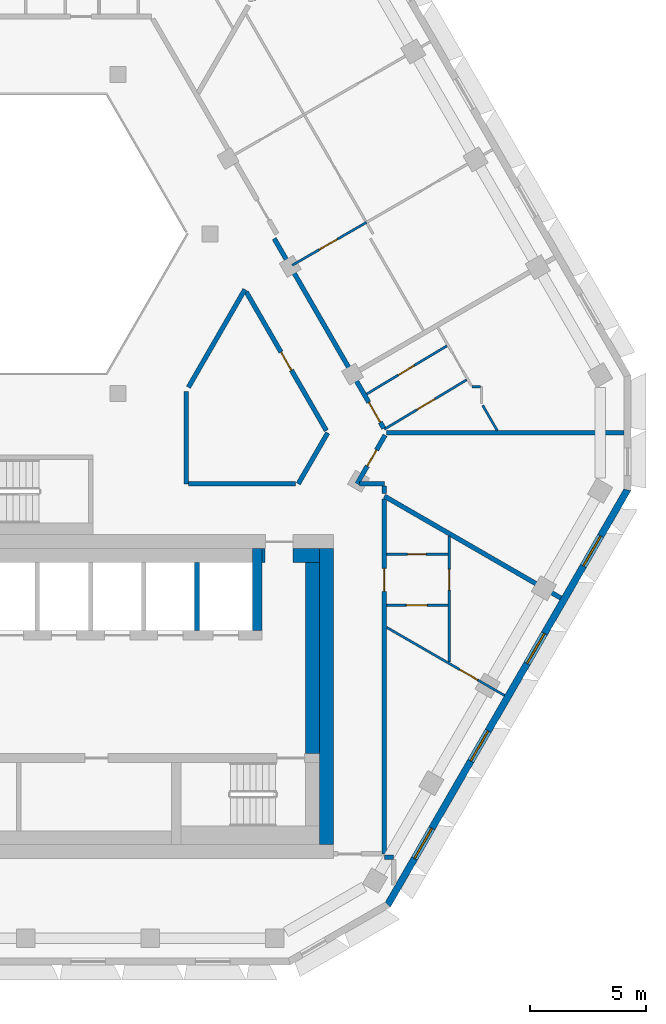
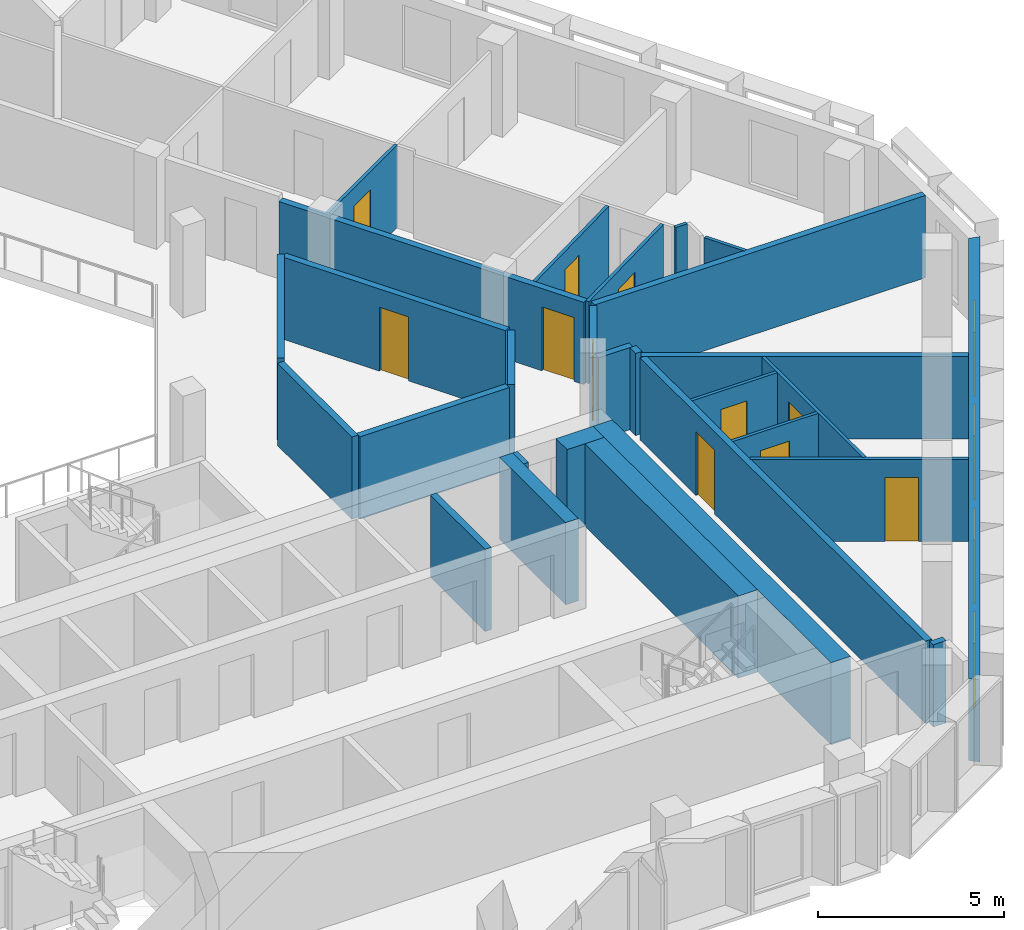
# One storey, part 5 of 14: 29 walls, 11 doors, 4 windows, 15 openings.
"""IFC4 building model written with IfcOpenShell, lengths in metres."""

import ifcopenshell
import ifcopenshell.guid

model = None  # the IFC model being written
_history = None  # IfcOwnerHistory: only IFC2X3 demands one
_inside = {}  # id of a spatial element -> (the spatial element, [elements in it])
_under = {}  # id of a project, library or spatial element -> (it, [spatial elements below it])
_declared = {}  # id of a project -> (the project, [libraries it declares])
_typed = {}  # id of a type object -> (the type object, [elements of that type])
_made_of = {}  # id of a material, layer set ... -> (it, [elements and type objects made of it])


def new_model(schema):
    """Start an empty IFC model of exactly this schema.

    Asked for "IFC4X3", IfcOpenShell would pick the latest addendum, in which some entities
    have other attributes; the version numbers below select the first issue.
    IFC2X3 requires an IfcOwnerHistory on every rooted entity: one is made here for all.
    """
    global model, _history
    if schema == "IFC4X3":
        model = ifcopenshell.file(schema_version=(4, 3, 0, 0))
    else:
        model = ifcopenshell.file(schema=schema)
    _inside.clear()
    _under.clear()
    _declared.clear()
    _typed.clear()
    _made_of.clear()
    _history = None
    if model.schema == "IFC2X3":
        org = make("IfcOrganization", Name="unknown")
        user = make(
            "IfcPersonAndOrganization",
            ThePerson=make("IfcPerson", FamilyName="unknown"),
            TheOrganization=org,
        )
        app = make(
            "IfcApplication",
            ApplicationDeveloper=org,
            Version="unknown",
            ApplicationFullName="unknown",
            ApplicationIdentifier="unknown",
        )
        _history = make(
            "IfcOwnerHistory",
            OwningUser=user,
            OwningApplication=app,
            ChangeAction="ADDED",
            CreationDate=0,
        )
    return model


def make(cls, **values):
    """One entity of the class cls with the attributes given. An attribute that is None is left unset."""
    return model.create_entity(
        cls, **{name: value for name, value in values.items() if value is not None}
    )


def rooted(cls, **values):
    """An entity with a GlobalId (a new one), such as an element, a storey or a relation."""
    return make(cls, GlobalId=ifcopenshell.guid.new(), OwnerHistory=_history, **values)


def si_unit(unit_type, name, prefix=None):
    """IfcSIUnit, for example si_unit("LENGTHUNIT", "METRE", prefix="MILLI")."""
    return make("IfcSIUnit", UnitType=unit_type, Prefix=prefix, Name=name)


def assignment(units):
    """IfcUnitAssignment: the units of a project."""
    return None if units is None else make("IfcUnitAssignment", Units=units)


def point(xyz):
    """IfcCartesianPoint."""
    return None if xyz is None else make("IfcCartesianPoint", Coordinates=xyz)


def direction(xyz):
    """IfcDirection."""
    return None if xyz is None else make("IfcDirection", DirectionRatios=xyz)


def frame(location, z_axis=None, x_axis=None):
    """IfcAxis2Placement3D, a coordinate frame: its origin and axes. An axis left out is left unset."""
    return make(
        "IfcAxis2Placement3D",
        Location=point(location),
        Axis=direction(z_axis),
        RefDirection=direction(x_axis),
    )


def frame_2d(location, x_axis=None):
    """IfcAxis2Placement2D, a coordinate frame in the plane: its origin and x axis."""
    return make(
        "IfcAxis2Placement2D", Location=point(location), RefDirection=direction(x_axis)
    )


def origin():
    """The frame at (0, 0, 0) with its axes left unset."""
    return frame((0.0, 0.0, 0.0))


def place(relative_to, where):
    """IfcLocalPlacement: puts the frame where relative to a parent placement (None: the world)."""
    return make(
        "IfcLocalPlacement", PlacementRelTo=relative_to, RelativePlacement=where
    )


def context(
    kind, dimensions, precision=None, world=None, true_north=None, identifier=None
):
    """IfcGeometricRepresentationContext, for example the 3D "Model" context."""
    return make(
        "IfcGeometricRepresentationContext",
        ContextIdentifier=identifier,
        ContextType=kind,
        CoordinateSpaceDimension=dimensions,
        Precision=precision,
        WorldCoordinateSystem=world,
        TrueNorth=true_north,
    )


def subcontext(parent, identifier, kind, view, scale=None):
    """IfcGeometricRepresentationSubContext, for example "Body" below "Model"."""
    return make(
        "IfcGeometricRepresentationSubContext",
        ContextIdentifier=identifier,
        ContextType=kind,
        ParentContext=parent,
        TargetScale=scale,
        TargetView=view,
    )


def project(units=None, contexts=None):
    """IfcProject with its units and contexts."""
    return rooted(
        "IfcProject",
        Name="project",
        RepresentationContexts=contexts,
        UnitsInContext=assignment(units),
    )


def spatial(cls, under=None, at=None, **own):
    """A site, building, storey or space (cls), placed at a placement, below another one or the project."""
    s = rooted(cls, ObjectPlacement=at, **own)
    if under is not None:
        _under.setdefault(under.id(), (under, []))[1].append(s)
    return s


def polyline(points):
    """IfcPolyline through the points."""
    return make("IfcPolyline", Points=[point(p) for p in points])


def profile(cls, at=None, kind="AREA", **sizes):
    """A parametric profile (cls). Its sizes go by their IFC names, for example OverallWidth=200.0."""
    return make(cls, ProfileType=kind, Position=at, **sizes)


def rectangle(**sizes):
    """IfcRectangleProfileDef."""
    return profile("IfcRectangleProfileDef", **sizes)


def outline(outer, holes=None, kind="AREA"):
    """IfcArbitraryClosedProfileDef: a profile drawn as a closed curve; with holes, ...WithVoids."""
    if holes is None:
        return make("IfcArbitraryClosedProfileDef", ProfileType=kind, OuterCurve=outer)
    return make(
        "IfcArbitraryProfileDefWithVoids",
        ProfileType=kind,
        OuterCurve=outer,
        InnerCurves=holes,
    )


def extrude(swept, where, along, depth):
    """IfcExtrudedAreaSolid: the profile swept, set in the frame where, extruded along a direction by depth."""
    return make(
        "IfcExtrudedAreaSolid",
        SweptArea=swept,
        Position=where,
        ExtrudedDirection=direction(along),
        Depth=depth,
    )


def shape(context_of_items, identifier, shape_type, items):
    """IfcShapeRepresentation: the items that make up one representation, for example the "Body"."""
    return make(
        "IfcShapeRepresentation",
        ContextOfItems=context_of_items,
        RepresentationIdentifier=identifier,
        RepresentationType=shape_type,
        Items=items,
    )


def material(Name=None, Category=None):
    """IfcMaterial."""
    return make("IfcMaterial", Name=Name, Category=Category)


def layer(
    of_material, thickness, ventilated=None, Name=None, Category=None, Priority=None
):
    """IfcMaterialLayer: one layer of a wall or slab, of a material (None: an air gap)."""
    return make(
        "IfcMaterialLayer",
        Material=of_material,
        LayerThickness=thickness,
        IsVentilated=ventilated,
        Name=Name,
        Category=Category,
        Priority=Priority,
    )


def layer_set(layers, Name=None):
    """IfcMaterialLayerSet."""
    return make("IfcMaterialLayerSet", MaterialLayers=layers, LayerSetName=Name)


def made_of(thing, what):
    """Note that an element or type object is made of a material, layer set ...; save() writes the relation."""
    if what is not None:
        _made_of.setdefault(what.id(), (what, []))[1].append(thing)
    return thing


def type_object(cls, material=None, **own):
    """A type object (cls), such as IfcWallType, which elements share."""
    return made_of(rooted(cls, **own), material)


def element(
    cls,
    number,
    at=None,
    inside=None,
    cuts=None,
    type_object=None,
    material=None,
    context=None,
    identifier="Body",
    shape_type=None,
    held_by="IfcProductDefinitionShape",
    body=None,
    shapes=None,
    **own,
):
    """One element of the class cls, such as IfcWall. Its Tag is "e" and its number.

    at: its placement. inside: the storey or other place that contains it. cuts: it is an
    opening in that element (IfcRelVoidsElement). A single representation is given by context,
    identifier, shape_type and body (its items); several are given by shapes. held_by: the class
    of the entity that holds the representations. save() writes the other relations.
    """
    e = rooted(cls, Tag="e%d" % number, ObjectPlacement=at, **own)
    if body is not None:
        shapes = [shape(context, identifier, shape_type, body)]
    if shapes is not None:
        e.Representation = make(held_by, Representations=shapes)
    if inside is not None:
        _inside.setdefault(inside.id(), (inside, []))[1].append(e)
    if cuts is not None:
        rooted(
            "IfcRelVoidsElement", RelatingBuildingElement=cuts, RelatedOpeningElement=e
        )
    if type_object is not None:
        _typed.setdefault(type_object.id(), (type_object, []))[1].append(e)
    return made_of(e, material)


def fill(opening, filler):
    """IfcRelFillsElement: the door or window that sits in an opening."""
    return rooted(
        "IfcRelFillsElement",
        RelatingOpeningElement=opening,
        RelatedBuildingElement=filler,
    )


def aggregate(whole, parts):
    """IfcRelAggregates: a whole, such as a stair, and the parts it consists of."""
    return rooted("IfcRelAggregates", RelatingObject=whole, RelatedObjects=parts)


def save(model, path):
    """Write the relations noted so far, then the file.

    IfcRelAggregates (storeys below a building ...), IfcRelContainedInSpatialStructure (elements
    in a storey), IfcRelDefinesByType, IfcRelAssociatesMaterial and IfcRelDeclares: one each for
    every whole, place, type object, material and project.
    """
    for whole, parts in _under.values():
        aggregate(whole, parts)
    for where, things in _inside.values():
        rooted(
            "IfcRelContainedInSpatialStructure",
            RelatedElements=things,
            RelatingStructure=where,
        )
    for kind, things in _typed.values():
        rooted("IfcRelDefinesByType", RelatedObjects=things, RelatingType=kind)
    for what, things in _made_of.values():
        rooted("IfcRelAssociatesMaterial", RelatedObjects=things, RelatingMaterial=what)
    for by, libraries in _declared.values():
        rooted("IfcRelDeclares", RelatingContext=by, RelatedDefinitions=libraries)
    model.write(path)


model = new_model("IFC4")

# Units and contexts
model_context = context("Model", 3, precision=1e-05, world=origin(), true_north=direction((0.0, 1.0)))
body_context = subcontext(model_context, "Body", "Model", "MODEL_VIEW")
ifc_project = project(units=[si_unit("LENGTHUNIT", "METRE"), si_unit("AREAUNIT", "SQUARE_METRE"), si_unit("VOLUMEUNIT", "CUBIC_METRE"), si_unit("PLANEANGLEUNIT", "RADIAN"), si_unit("MASSUNIT", "GRAM", prefix="KILO")], contexts=[model_context])

# Site, building, storey
site_placement = place(None, origin())
site = spatial("IfcSite", under=ifc_project, at=site_placement, CompositionType="ELEMENT")
building_placement = place(site_placement, origin())
building = spatial("IfcBuilding", under=site, at=building_placement, Name="Beryl Residences", CompositionType="ELEMENT")
storey_placement = place(building_placement, frame((0.0, 0.0, 181.199951171875)))
storey = spatial("IfcBuildingStorey", under=building, at=storey_placement, Name="L55", CompositionType="ELEMENT", Elevation=181.199951171875)

# Wall, openings, windows
ifc_material_1 = material(Name="Composite metal panel with mineral wool insulation")
ifc_layer_1 = layer(ifc_material_1, 0.300048828125)
ifc_layer_set_1 = layer_set([ifc_layer_1], Name="ES1 pale metal composite panel wall 300 mm")
wall_type_1 = type_object("IfcWallType", Name="ES1 pale metal composite panel wall 300 mm", PredefinedType="SOLIDWALL", material=ifc_layer_set_1)
wall_1_placement = place(storey_placement, frame((15.631103515625, -21.02490234375, 0.0), z_axis=(0.0, 0.0, 1.0), x_axis=(0.500018670445, 0.86601462413, 0.0)))
wall_1 = element("IfcWall", 1, at=wall_1_placement, inside=storey, type_object=wall_type_1, Name="ES1 external wall L55 SE", PredefinedType="SOLIDWALL", context=body_context, shape_type="SweptSolid", body=[
    extrude(outline(polyline([(0.0, -0.14990234375), (20.784912109375, -0.14990234375), (20.70458984375, 0.14990234375), (0.080322265625, 0.14990234375), (0.0, -0.14990234375)])), origin(), (0.0, 0.0, 1.0), 2.699951171875),
])
opening_1_placement = place(wall_1_placement, frame((2.345947265625, 0.0, 0.14990234375)))
opening_1 = element("IfcOpeningElement", 2, at=opening_1_placement, cuts=wall_1, Name="Opening W1", PredefinedType="OPENING", context=body_context, shape_type="SweptSolid", body=[
    extrude(rectangle(XDim=1.5, YDim=2.10009765625, at=frame_2d((0.75, 1.050048828125))), frame((0.0, 0.159912109375, 0.0), z_axis=(0.0, -1.0, 0.0), x_axis=(1.0, 0.0, 0.0)), (0.0, 0.0, 1.0), 0.320068359375),
])
opening_2_placement = place(wall_1_placement, frame((7.2099609375, 0.0, 0.14990234375)))
opening_2 = element("IfcOpeningElement", 3, at=opening_2_placement, cuts=wall_1, Name="Opening W1", PredefinedType="OPENING", context=body_context, shape_type="SweptSolid", body=[
    extrude(rectangle(XDim=1.5, YDim=2.10009765625, at=frame_2d((0.75, 1.050048828125))), frame((0.0, 0.159912109375, 0.0), z_axis=(0.0, -1.0, 0.0), x_axis=(1.0, 0.0, 0.0)), (0.0, 0.0, 1.0), 0.320068359375),
])
opening_3_placement = place(wall_1_placement, frame((12.072998046875, 0.0, 0.14990234375)))
opening_3 = element("IfcOpeningElement", 4, at=opening_3_placement, cuts=wall_1, Name="Opening W1", PredefinedType="OPENING", context=body_context, shape_type="SweptSolid", body=[
    extrude(rectangle(XDim=1.5, YDim=2.10009765625, at=frame_2d((0.75, 1.050048828125))), frame((0.0, 0.159912109375, 0.0), z_axis=(0.0, -1.0, 0.0), x_axis=(1.0, 0.0, 0.0)), (0.0, 0.0, 1.0), 0.320068359375),
])
opening_4_placement = place(wall_1_placement, frame((16.93798828125, 0.0, 0.14990234375)))
opening_4 = element("IfcOpeningElement", 5, at=opening_4_placement, cuts=wall_1, Name="Opening W1", PredefinedType="OPENING", context=body_context, shape_type="SweptSolid", body=[
    extrude(rectangle(XDim=1.5, YDim=2.10009765625, at=frame_2d((0.75, 1.050048828125))), frame((0.0, 0.159912109375, 0.0), z_axis=(0.0, -1.0, 0.0), x_axis=(1.0, 0.0, 0.0)), (0.0, 0.0, 1.0), 0.320068359375),
])
ifc_material_2 = material(Name="Aluminium and clear glass", Category="aluminium")
window_type = type_object("IfcWindowType", Name="W1 cell window 1500 x 2100 mm", PartitioningType="SINGLE_PANEL", PredefinedType="WINDOW", material=ifc_material_2)
window_1_placement = place(opening_1_placement, origin())
window_1 = element("IfcWindow", 6, at=window_1_placement, inside=storey, type_object=window_type, Name="W1 window L55 SE 2", OverallHeight=2.10009765625, OverallWidth=1.5, PartitioningType="SINGLE_PANEL", PredefinedType="WINDOW", context=body_context, shape_type="SweptSolid", body=[
    extrude(rectangle(XDim=1.5, YDim=2.10009765625, at=frame_2d((0.75, 1.050048828125))), frame((0.0, 0.030029296875, 0.0), z_axis=(0.0, -1.0, 0.0), x_axis=(1.0, 0.0, 0.0)), (0.0, 0.0, 1.0), 0.06005859375),
])
fill(opening_1, window_1)
window_2_placement = place(opening_2_placement, origin())
window_2 = element("IfcWindow", 7, at=window_2_placement, inside=storey, type_object=window_type, Name="W1 window L55 SE 4", OverallHeight=2.10009765625, OverallWidth=1.5, PartitioningType="SINGLE_PANEL", PredefinedType="WINDOW", context=body_context, shape_type="SweptSolid", body=[
    extrude(rectangle(XDim=1.5, YDim=2.10009765625, at=frame_2d((0.75, 1.050048828125))), frame((0.0, 0.030029296875, 0.0), z_axis=(0.0, -1.0, 0.0), x_axis=(1.0, 0.0, 0.0)), (0.0, 0.0, 1.0), 0.06005859375),
])
fill(opening_2, window_2)
window_3_placement = place(opening_3_placement, origin())
window_3 = element("IfcWindow", 8, at=window_3_placement, inside=storey, type_object=window_type, Name="W1 window L55 SE 6", OverallHeight=2.10009765625, OverallWidth=1.5, PartitioningType="SINGLE_PANEL", PredefinedType="WINDOW", context=body_context, shape_type="SweptSolid", body=[
    extrude(rectangle(XDim=1.5, YDim=2.10009765625, at=frame_2d((0.75, 1.050048828125))), frame((0.0, 0.030029296875, 0.0), z_axis=(0.0, -1.0, 0.0), x_axis=(1.0, 0.0, 0.0)), (0.0, 0.0, 1.0), 0.06005859375),
])
fill(opening_3, window_3)
window_4_placement = place(opening_4_placement, origin())
window_4 = element("IfcWindow", 9, at=window_4_placement, inside=storey, type_object=window_type, Name="W1 window L55 SE 8", OverallHeight=2.10009765625, OverallWidth=1.5, PartitioningType="SINGLE_PANEL", PredefinedType="WINDOW", context=body_context, shape_type="SweptSolid", body=[
    extrude(rectangle(XDim=1.5, YDim=2.10009765625, at=frame_2d((0.75, 1.050048828125))), frame((0.0, 0.030029296875, 0.0), z_axis=(0.0, -1.0, 0.0), x_axis=(1.0, 0.0, 0.0)), (0.0, 0.0, 1.0), 0.06005859375),
])
fill(opening_4, window_4)

# Wall
ifc_material_3 = material(Name="Gypsum board partition on steel studs", Category="steel")
ifc_layer_2 = layer(ifc_material_3, 0.10009765625)
ifc_layer_set_2 = layer_set([ifc_layer_2], Name="PT1 partition 100 mm gypsum board on steel studs")
wall_type_2 = type_object("IfcWallType", Name="PT1 partition 100 mm gypsum board on steel studs", PredefinedType="PARTITIONING", material=ifc_layer_set_2)
wall_2_placement = place(storey_placement, frame((19.75, 0.592041015625, 0.0), z_axis=(0.0, 0.0, 1.0), x_axis=(0.499974077718, -0.866040369504, 0.0)))
element("IfcWall", 10, at=wall_2_placement, inside=storey, type_object=wall_type_2, Name="Wall PT1 L55 005", PredefinedType="PARTITIONING", context=body_context, shape_type="SweptSolid", body=[
    extrude(rectangle(XDim=1.259765625, YDim=0.10009765625, at=frame_2d((0.6298828125, 0.0))), origin(), (0.0, 0.0, 1.0), 2.699951171875),
])

# Wall, opening, door
wall_3_placement = place(storey_placement, frame((15.60009765625, -9.008056640625, 0.0), z_axis=(0.0, 0.0, 1.0), x_axis=(0.866013576751, -0.500020484464, 0.0)))
wall_3 = element("IfcWall", 11, at=wall_3_placement, inside=storey, type_object=wall_type_2, Name="Wall PT1 L55 014", PredefinedType="PARTITIONING", context=body_context, shape_type="SweptSolid", body=[
    extrude(rectangle(XDim=5.885498046875, YDim=0.10009765625, at=frame_2d((2.94287109375, 0.0))), origin(), (0.0, 0.0, 1.0), 2.699951171875),
])
opening_5_placement = place(wall_3_placement, frame((3.639892578125, 0.0, 0.0)))
opening_5 = element("IfcOpeningElement", 12, at=opening_5_placement, cuts=wall_3, Name="Opening D1736", PredefinedType="OPENING", context=body_context, shape_type="SweptSolid", body=[
    extrude(rectangle(XDim=0.89990234375, YDim=2.10009765625, at=frame_2d((0.449951171875, 1.050048828125))), frame((0.0, 0.06005859375, 0.0), z_axis=(0.0, -1.0, 0.0), x_axis=(1.0, 0.0, 0.0)), (0.0, 0.0, 1.0), 0.1201171875),
])
ifc_material_4 = material(Name="Timber door leaf", Category="wood")
door_type_1 = type_object("IfcDoorType", Name="D2 room door 900 x 2100 mm", OperationType="SINGLE_SWING_LEFT", PredefinedType="DOOR", material=ifc_material_4)
door_1_placement = place(opening_5_placement, origin())
door_1 = element("IfcDoor", 13, at=door_1_placement, inside=storey, type_object=door_type_1, Name="Door D1736 L55 001", OperationType="SINGLE_SWING_RIGHT", OverallHeight=2.10009765625, OverallWidth=0.89990234375, PredefinedType="DOOR", context=body_context, shape_type="SweptSolid", body=[
    extrude(rectangle(XDim=0.89990234375, YDim=2.10009765625, at=frame_2d((0.449951171875, 1.050048828125))), frame((0.0, 0.02490234375, 0.0), z_axis=(0.0, -1.0, 0.0), x_axis=(1.0, 0.0, 0.0)), (0.0, 0.0, 1.0), 0.050048828125),
])
fill(opening_5, door_1)

wall_4_placement = place(storey_placement, frame((15.60009765625, -5.85107421875, 0.0), z_axis=(0.0, 0.0, 1.0), x_axis=(1.0, 0.0, 0.0)))
wall_4 = element("IfcWall", 14, at=wall_4_placement, inside=storey, type_object=wall_type_2, Name="Wall PT1 L55 017", PredefinedType="PARTITIONING", context=body_context, shape_type="SweptSolid", body=[
    extrude(rectangle(XDim=2.64990234375, YDim=0.10009765625, at=frame_2d((1.324951171875, 0.0))), origin(), (0.0, 0.0, 1.0), 2.699951171875),
])
opening_6_placement = place(wall_4_placement, frame((0.89990234375, 0.0, 0.0)))
opening_6 = element("IfcOpeningElement", 15, at=opening_6_placement, cuts=wall_4, Name="Opening D1733", PredefinedType="OPENING", context=body_context, shape_type="SweptSolid", body=[
    extrude(rectangle(XDim=0.800048828125, YDim=2.10009765625, at=frame_2d((0.39990234375, 1.050048828125))), frame((0.0, 0.06005859375, 0.0), z_axis=(0.0, -1.0, 0.0), x_axis=(1.0, 0.0, 0.0)), (0.0, 0.0, 1.0), 0.1201171875),
])
ifc_material_5 = material(Name="Timber door leaf", Category="wood")
door_type_2 = type_object("IfcDoorType", Name="D3 bathroom door 800 x 2100 mm", OperationType="SINGLE_SWING_LEFT", PredefinedType="DOOR", material=ifc_material_5)
door_2_placement = place(opening_6_placement, origin())
door_2 = element("IfcDoor", 16, at=door_2_placement, inside=storey, type_object=door_type_2, Name="Door D1733 L55 001", OperationType="SINGLE_SWING_LEFT", OverallHeight=2.10009765625, OverallWidth=0.800048828125, PredefinedType="DOOR", context=body_context, shape_type="SweptSolid", body=[
    extrude(rectangle(XDim=0.800048828125, YDim=2.10009765625, at=frame_2d((0.39990234375, 1.050048828125))), frame((0.0, 0.02490234375, 0.0), z_axis=(0.0, -1.0, 0.0), x_axis=(1.0, 0.0, 0.0)), (0.0, 0.0, 1.0), 0.050048828125),
])
fill(opening_6, door_2)

wall_5_placement = place(storey_placement, frame((15.60009765625, -8.051025390625, 0.0), z_axis=(0.0, 0.0, 1.0), x_axis=(1.0, 0.0, 0.0)))
wall_5 = element("IfcWall", 17, at=wall_5_placement, inside=storey, type_object=wall_type_2, Name="Wall PT1 L55 018", PredefinedType="PARTITIONING", context=body_context, shape_type="SweptSolid", body=[
    extrude(rectangle(XDim=2.64990234375, YDim=0.10009765625, at=frame_2d((1.324951171875, 0.0))), origin(), (0.0, 0.0, 1.0), 2.699951171875),
])
opening_7_placement = place(wall_5_placement, frame((0.85009765625, 0.0, 0.0)))
opening_7 = element("IfcOpeningElement", 18, at=opening_7_placement, cuts=wall_5, Name="Opening D1734", PredefinedType="OPENING", context=body_context, shape_type="SweptSolid", body=[
    extrude(rectangle(XDim=0.89990234375, YDim=2.10009765625, at=frame_2d((0.449951171875, 1.050048828125))), frame((0.0, 0.06005859375, 0.0), z_axis=(0.0, -1.0, 0.0), x_axis=(1.0, 0.0, 0.0)), (0.0, 0.0, 1.0), 0.1201171875),
])
door_3_placement = place(opening_7_placement, origin())
door_3 = element("IfcDoor", 19, at=door_3_placement, inside=storey, type_object=door_type_1, Name="Door D1734 L55 001", OperationType="SINGLE_SWING_RIGHT", OverallHeight=2.10009765625, OverallWidth=0.89990234375, PredefinedType="DOOR", context=body_context, shape_type="SweptSolid", body=[
    extrude(rectangle(XDim=0.89990234375, YDim=2.10009765625, at=frame_2d((0.449951171875, 1.050048828125))), frame((0.0, 0.02490234375, 0.0), z_axis=(0.0, -1.0, 0.0), x_axis=(1.0, 0.0, 0.0)), (0.0, 0.0, 1.0), 0.050048828125),
])
fill(opening_7, door_3)

# Wall
wall_6_placement = place(storey_placement, frame((19.283935546875, 1.39990234375, 0.0), z_axis=(0.0, 0.0, 1.0), x_axis=(1.0, 0.0, 0.0)))
element("IfcWall", 20, at=wall_6_placement, inside=storey, type_object=wall_type_2, Name="Wall PT1 L55 020", PredefinedType="PARTITIONING", context=body_context, shape_type="SweptSolid", body=[
    extrude(rectangle(XDim=0.365966796875, YDim=0.10009765625, at=frame_2d((0.18310546875, 0.0))), origin(), (0.0, 0.0, 1.0), 2.699951171875),
])

# Wall, opening, door
wall_7_placement = place(storey_placement, frame((18.300048828125, -10.509033203125, 0.0), z_axis=(0.0, 0.0, 1.0), x_axis=(0.0, 1.0, 0.0)))
wall_7 = element("IfcWall", 21, at=wall_7_placement, inside=storey, type_object=wall_type_2, Name="Wall PT1 L55 032", PredefinedType="PARTITIONING", context=body_context, shape_type="SweptSolid", body=[
    extrude(rectangle(XDim=5.443115234375, YDim=0.10009765625, at=frame_2d((2.7216796875, 0.0))), origin(), (0.0, 0.0, 1.0), 2.699951171875),
])
opening_8_placement = place(wall_7_placement, frame((3.10888671875, 0.0, 0.0)))
opening_8 = element("IfcOpeningElement", 22, at=opening_8_placement, cuts=wall_7, Name="Opening D1735", PredefinedType="OPENING", context=body_context, shape_type="SweptSolid", body=[
    extrude(rectangle(XDim=0.89990234375, YDim=2.10009765625, at=frame_2d((0.449951171875, 1.050048828125))), frame((0.0, 0.06005859375, 0.0), z_axis=(0.0, -1.0, 0.0), x_axis=(1.0, 0.0, 0.0)), (0.0, 0.0, 1.0), 0.1201171875),
])
door_4_placement = place(opening_8_placement, origin())
door_4 = element("IfcDoor", 23, at=door_4_placement, inside=storey, type_object=door_type_1, Name="Door D1735 L55 001", OperationType="SINGLE_SWING_LEFT", OverallHeight=2.10009765625, OverallWidth=0.89990234375, PredefinedType="DOOR", context=body_context, shape_type="SweptSolid", body=[
    extrude(rectangle(XDim=0.89990234375, YDim=2.10009765625, at=frame_2d((0.449951171875, 1.050048828125))), frame((0.0, 0.02490234375, 0.0), z_axis=(0.0, -1.0, 0.0), x_axis=(1.0, 0.0, 0.0)), (0.0, 0.0, 1.0), 0.050048828125),
])
fill(opening_8, door_4)

wall_8_placement = place(storey_placement, frame((11.51806640625, 6.64990234375, 0.0), z_axis=(0.0, 0.0, 1.0), x_axis=(0.865984470368, 0.500070892056, 0.0)))
wall_8 = element("IfcWall", 24, at=wall_8_placement, inside=storey, type_object=wall_type_2, Name="Wall PT1 L55 037", PredefinedType="PARTITIONING", context=body_context, shape_type="SweptSolid", body=[
    extrude(rectangle(XDim=3.69970703125, YDim=0.10009765625, at=frame_2d((1.849853515625, 0.0))), origin(), (0.0, 0.0, 1.0), 2.699951171875),
])
opening_9_placement = place(wall_8_placement, frame((1.35009765625, 0.0, 0.0)))
opening_9 = element("IfcOpeningElement", 25, at=opening_9_placement, cuts=wall_8, Name="Opening D1703", PredefinedType="OPENING", context=body_context, shape_type="SweptSolid", body=[
    extrude(rectangle(XDim=0.89990234375, YDim=2.10009765625, at=frame_2d((0.449951171875, 1.050048828125))), frame((0.0, 0.06005859375, 0.0), z_axis=(0.0, -1.0, 0.0), x_axis=(1.0, 0.0, 0.0)), (0.0, 0.0, 1.0), 0.1201171875),
])
door_5_placement = place(opening_9_placement, origin())
door_5 = element("IfcDoor", 26, at=door_5_placement, inside=storey, type_object=door_type_1, Name="Door D1703 L55 001", OperationType="SINGLE_SWING_LEFT", OverallHeight=2.10009765625, OverallWidth=0.89990234375, PredefinedType="DOOR", context=body_context, shape_type="SweptSolid", body=[
    extrude(rectangle(XDim=0.89990234375, YDim=2.10009765625, at=frame_2d((0.449951171875, 1.050048828125))), frame((0.0, 0.02490234375, 0.0), z_axis=(0.0, -1.0, 0.0), x_axis=(1.0, 0.0, 0.0)), (0.0, 0.0, 1.0), 0.050048828125),
])
fill(opening_9, door_5)

wall_9_placement = place(storey_placement, frame((14.73388671875, 1.080078125, 0.0), z_axis=(0.0, 0.0, 1.0), x_axis=(0.857205608004, 0.514974315482, 0.0)))
wall_9 = element("IfcWall", 27, at=wall_9_placement, inside=storey, type_object=wall_type_2, Name="Wall PT1 L55 040", PredefinedType="PARTITIONING", context=body_context, shape_type="SweptSolid", body=[
    extrude(rectangle(XDim=4.050537109375, YDim=0.10009765625, at=frame_2d((2.025390625, 0.0))), origin(), (0.0, 0.0, 1.0), 2.699951171875),
])
opening_10_placement = place(wall_9_placement, frame((1.60009765625, 0.0, 0.0)))
opening_10 = element("IfcOpeningElement", 28, at=opening_10_placement, cuts=wall_9, Name="Opening D1739", PredefinedType="OPENING", context=body_context, shape_type="SweptSolid", body=[
    extrude(rectangle(XDim=0.800048828125, YDim=2.10009765625, at=frame_2d((0.39990234375, 1.050048828125))), frame((0.0, 0.06005859375, 0.0), z_axis=(0.0, -1.0, 0.0), x_axis=(1.0, 0.0, 0.0)), (0.0, 0.0, 1.0), 0.1201171875),
])
door_6_placement = place(opening_10_placement, origin())
door_6 = element("IfcDoor", 29, at=door_6_placement, inside=storey, type_object=door_type_2, Name="Door D1739 L55 001", OperationType="SINGLE_SWING_LEFT", OverallHeight=2.10009765625, OverallWidth=0.800048828125, PredefinedType="DOOR", context=body_context, shape_type="SweptSolid", body=[
    extrude(rectangle(XDim=0.800048828125, YDim=2.10009765625, at=frame_2d((0.39990234375, 1.050048828125))), frame((0.0, 0.02490234375, 0.0), z_axis=(0.0, -1.0, 0.0), x_axis=(1.0, 0.0, 0.0)), (0.0, 0.0, 1.0), 0.050048828125),
])
fill(opening_10, door_6)

wall_10_placement = place(storey_placement, frame((15.4990234375, -0.444091796875, 0.0), z_axis=(0.0, 0.0, 1.0), x_axis=(0.857061798163, 0.515213619899, 0.0)))
wall_10 = element("IfcWall", 30, at=wall_10_placement, inside=storey, type_object=wall_type_2, Name="Wall PT1 L55 041", PredefinedType="PARTITIONING", context=body_context, shape_type="SweptSolid", body=[
    extrude(rectangle(XDim=4.150146484375, YDim=0.10009765625, at=frame_2d((2.0751953125, 0.0))), origin(), (0.0, 0.0, 1.0), 2.699951171875),
])
opening_11_placement = place(wall_10_placement, frame((1.64990234375, 0.0, 0.0)))
opening_11 = element("IfcOpeningElement", 31, at=opening_11_placement, cuts=wall_10, Name="Opening D1740", PredefinedType="OPENING", context=body_context, shape_type="SweptSolid", body=[
    extrude(rectangle(XDim=0.89990234375, YDim=2.10009765625, at=frame_2d((0.449951171875, 1.050048828125))), frame((0.0, 0.06005859375, 0.0), z_axis=(0.0, -1.0, 0.0), x_axis=(1.0, 0.0, 0.0)), (0.0, 0.0, 1.0), 0.1201171875),
])
door_7_placement = place(opening_11_placement, origin())
door_7 = element("IfcDoor", 32, at=door_7_placement, inside=storey, type_object=door_type_1, Name="Door D1740 L55 001", OperationType="SINGLE_SWING_RIGHT", OverallHeight=2.10009765625, OverallWidth=0.89990234375, PredefinedType="DOOR", context=body_context, shape_type="SweptSolid", body=[
    extrude(rectangle(XDim=0.89990234375, YDim=2.10009765625, at=frame_2d((0.449951171875, 1.050048828125))), frame((0.0, 0.02490234375, 0.0), z_axis=(0.0, -1.0, 0.0), x_axis=(1.0, 0.0, 0.0)), (0.0, 0.0, 1.0), 0.050048828125),
])
fill(opening_11, door_7)

# Walls
ifc_material_6 = material(Name="Concrete masonry", Category="masonry")
ifc_layer_3 = layer(ifc_material_6, 0.14990234375)
ifc_layer_set_3 = layer_set([ifc_layer_3], Name="PT13-150 lobby wall 150 mm")
wall_type_3 = type_object("IfcWallType", Name="PT13-150 lobby wall 150 mm", PredefinedType="PARTITIONING", material=ifc_layer_set_3)
wall_11_placement = place(storey_placement, frame((10.27490234375, -6.199951171875, 0.0), z_axis=(0.0, 0.0, 1.0), x_axis=(0.0, 1.0, 0.0)))
element("IfcWall", 33, at=wall_11_placement, inside=storey, type_object=wall_type_3, Name="Lobby wall 23", PredefinedType="PARTITIONING", context=body_context, shape_type="SweptSolid", body=[
    extrude(rectangle(XDim=0.599853515625, YDim=0.14990234375, at=frame_2d((0.2998046875, 0.0))), origin(), (0.0, 0.0, 1.0), 2.699951171875),
])
ifc_material_7 = material(Name="Concrete masonry", Category="masonry")
ifc_layer_4 = layer(ifc_material_7, 0.60009765625)
ifc_layer_set_4 = layer_set([ifc_layer_4], Name="PT13-600 lobby wall 600 mm")
wall_type_4 = type_object("IfcWallType", Name="PT13-600 lobby wall 600 mm", PredefinedType="PARTITIONING", material=ifc_layer_set_4)
wall_12_placement = place(storey_placement, frame((11.550048828125, -5.89990234375, 0.0), z_axis=(0.0, 0.0, 1.0), x_axis=(1.0, 0.0, 0.0)))
element("IfcWall", 34, at=wall_12_placement, inside=storey, type_object=wall_type_4, Name="Lobby wall 24", PredefinedType="PARTITIONING", context=body_context, shape_type="SweptSolid", body=[
    extrude(rectangle(XDim=1.14990234375, YDim=0.60009765625, at=frame_2d((0.574951171875, 0.0))), origin(), (0.0, 0.0, 1.0), 2.699951171875),
])
wall_13_placement = place(storey_placement, frame((12.39990234375, -14.449951171875, 0.0), z_axis=(0.0, 0.0, 1.0), x_axis=(0.0, 1.0, 0.0)))
element("IfcWall", 35, at=wall_13_placement, inside=storey, type_object=wall_type_4, Name="Lobby wall 26", PredefinedType="PARTITIONING", context=body_context, shape_type="SweptSolid", body=[
    extrude(rectangle(XDim=8.25, YDim=0.60009765625, at=frame_2d((4.125, 0.0))), origin(), (0.0, 0.0, 1.0), 2.699951171875),
])
ifc_material_8 = material(Name="Acoustic double stud gypsum board wall")
ifc_layer_5 = layer(ifc_material_8, 0.199951171875)
ifc_layer_set_5 = layer_set([ifc_layer_5], Name="PT3 party wall 200 mm acoustic double stud")
wall_type_5 = type_object("IfcWallType", Name="PT3 party wall 200 mm acoustic double stud", PredefinedType="PARTITIONING", material=ifc_layer_set_5)
wall_14_placement = place(storey_placement, frame((15.5, -3.333984375, 0.0), z_axis=(0.0, 0.0, 1.0), x_axis=(0.866001896501, -0.5000407136, 0.0)))
element("IfcWall", 36, at=wall_14_placement, inside=storey, type_object=wall_type_5, Name="Wall PT3 L55 004", PredefinedType="PARTITIONING", context=body_context, shape_type="SweptSolid", body=[
    extrude(rectangle(XDim=8.809326171875, YDim=0.199951171875, at=frame_2d((4.40478515625, 0.0))), origin(), (0.0, 0.0, 1.0), 2.699951171875),
])
wall_15_placement = place(storey_placement, frame((15.587890625, -0.59912109375, 0.0), z_axis=(0.0, 0.0, 1.0), x_axis=(1.0, 0.0, 0.0)))
element("IfcWall", 37, at=wall_15_placement, inside=storey, type_object=wall_type_5, Name="Wall PT3 L55 006", PredefinedType="PARTITIONING", context=body_context, shape_type="SweptSolid", body=[
    extrude(rectangle(XDim=10.26611328125, YDim=0.199951171875, at=frame_2d((5.133056640625, 0.0))), origin(), (0.0, 0.0, 1.0), 2.699951171875),
])
wall_16_placement = place(storey_placement, frame((15.4990234375, -18.949951171875, 0.0), z_axis=(0.0, 0.0, 1.0), x_axis=(1.0, 0.0, 0.0)))
element("IfcWall", 38, at=wall_16_placement, inside=storey, type_object=wall_type_5, Name="Wall PT3 L55 013", PredefinedType="PARTITIONING", context=body_context, shape_type="SweptSolid", body=[
    extrude(rectangle(XDim=0.39990234375, YDim=0.199951171875, at=frame_2d((0.199951171875, 0.0))), origin(), (0.0, 0.0, 1.0), 2.699951171875),
])

# Wall, opening, door
ifc_material_9 = material(Name="Double stud gypsum board wall")
ifc_layer_6 = layer(ifc_material_9, 0.199951171875)
ifc_layer_set_6 = layer_set([ifc_layer_6], Name="PT4 corridor wall 200 mm double stud")
wall_type_6 = type_object("IfcWallType", Name="PT4 corridor wall 200 mm double stud", PredefinedType="PARTITIONING", material=ifc_layer_set_6)
wall_17_placement = place(storey_placement, frame((9.52587890625, 5.5, 0.0), z_axis=(0.0, 0.0, 1.0), x_axis=(0.500062092869, -0.865989551482, 0.0)))
wall_17 = element("IfcWall", 39, at=wall_17_placement, inside=storey, type_object=wall_type_6, Name="Wall PT4 L55 004", PredefinedType="PARTITIONING", context=body_context, shape_type="SweptSolid", body=[
    extrude(rectangle(XDim=6.92724609375, YDim=0.199951171875, at=frame_2d((3.463623046875, 0.0))), origin(), (0.0, 0.0, 1.0), 2.699951171875),
])
opening_12_placement = place(wall_17_placement, frame((3.013916015625, 0.0, 0.0)))
opening_12 = element("IfcOpeningElement", 40, at=opening_12_placement, cuts=wall_17, Name="Opening D1743", PredefinedType="OPENING", context=body_context, shape_type="SweptSolid", body=[
    extrude(rectangle(XDim=0.89990234375, YDim=2.10009765625, at=frame_2d((0.449951171875, 1.050048828125))), frame((0.0, 0.10986328125, 0.0), z_axis=(0.0, -1.0, 0.0), x_axis=(1.0, 0.0, 0.0)), (0.0, 0.0, 1.0), 0.219970703125),
])
door_8_placement = place(opening_12_placement, origin())
door_8 = element("IfcDoor", 41, at=door_8_placement, inside=storey, type_object=door_type_1, Name="Door D1743 L55 001", OperationType="SINGLE_SWING_LEFT", OverallHeight=2.10009765625, OverallWidth=0.89990234375, PredefinedType="DOOR", context=body_context, shape_type="SweptSolid", body=[
    extrude(rectangle(XDim=0.89990234375, YDim=2.10009765625, at=frame_2d((0.449951171875, 1.050048828125))), frame((0.0, 0.02490234375, 0.0), z_axis=(0.0, -1.0, 0.0), x_axis=(1.0, 0.0, 0.0)), (0.0, 0.0, 1.0), 0.050048828125),
])
fill(opening_12, door_8)

wall_18_placement = place(storey_placement, frame((10.739013671875, 7.800048828125, 0.0), z_axis=(0.0, 0.0, 1.0), x_axis=(0.500023726918, -0.866011704609, 0.0)))
wall_18 = element("IfcWall", 42, at=wall_18_placement, inside=storey, type_object=wall_type_6, Name="Wall PT4 L55 005", PredefinedType="PARTITIONING", context=body_context, shape_type="SweptSolid", body=[
    extrude(rectangle(XDim=9.4697265625, YDim=0.199951171875, at=frame_2d((4.73486328125, 0.0))), origin(), (0.0, 0.0, 1.0), 2.699951171875),
])
opening_13_placement = place(wall_18_placement, frame((8.16796875, 0.0, 0.0)))
opening_13 = element("IfcOpeningElement", 43, at=opening_13_placement, cuts=wall_18, Name="Opening D1738", PredefinedType="OPENING", context=body_context, shape_type="SweptSolid", body=[
    extrude(rectangle(XDim=1.0, YDim=2.10009765625, at=frame_2d((0.5, 1.050048828125))), frame((0.0, 0.10986328125, 0.0), z_axis=(0.0, -1.0, 0.0), x_axis=(1.0, 0.0, 0.0)), (0.0, 0.0, 1.0), 0.219970703125),
])
ifc_material_10 = material(Name="Timber door leaf", Category="wood")
door_type_3 = type_object("IfcDoorType", Name="D1 flat entrance door 1000 x 2100 mm", OperationType="SINGLE_SWING_LEFT", PredefinedType="DOOR", material=ifc_material_10)
door_9_placement = place(opening_13_placement, origin())
door_9 = element("IfcDoor", 44, at=door_9_placement, inside=storey, type_object=door_type_3, Name="Door D1738 L55 001", OperationType="SINGLE_SWING_RIGHT", OverallHeight=2.10009765625, OverallWidth=1.0, PredefinedType="DOOR", context=body_context, shape_type="SweptSolid", body=[
    extrude(rectangle(XDim=1.0, YDim=2.10009765625, at=frame_2d((0.5, 1.050048828125))), frame((0.0, 0.02490234375, 0.0), z_axis=(0.0, -1.0, 0.0), x_axis=(1.0, 0.0, 0.0)), (0.0, 0.0, 1.0), 0.050048828125),
])
fill(opening_13, door_9)

# Walls
wall_19_placement = place(storey_placement, frame((15.5, -2.90087890625, 0.0), z_axis=(0.0, 0.0, 1.0), x_axis=(0.0, -1.0, 0.0)))
element("IfcWall", 45, at=wall_19_placement, inside=storey, type_object=wall_type_6, Name="Wall PT4 L55 007", PredefinedType="PARTITIONING", context=body_context, shape_type="SweptSolid", body=[
    extrude(rectangle(XDim=0.318115234375, YDim=0.199951171875, at=frame_2d((0.1591796875, 0.0))), origin(), (0.0, 0.0, 1.0), 2.699951171875),
])
wall_20_placement = place(storey_placement, frame((7.028076171875, -2.800048828125, 0.0), z_axis=(0.0, 0.0, 1.0), x_axis=(1.0, 0.0, 0.0)))
element("IfcWall", 46, at=wall_20_placement, inside=storey, type_object=wall_type_6, Name="Wall PT4 L55 012", PredefinedType="PARTITIONING", context=body_context, shape_type="SweptSolid", body=[
    extrude(rectangle(XDim=4.634033203125, YDim=0.199951171875, at=frame_2d((2.31689453125, 0.0))), origin(), (0.0, 0.0, 1.0), 2.699951171875),
])
wall_21_placement = place(storey_placement, frame((14.43310546875, -2.800048828125, 0.0), z_axis=(0.0, 0.0, 1.0), x_axis=(1.0, 0.0, 0.0)))
element("IfcWall", 47, at=wall_21_placement, inside=storey, type_object=wall_type_6, Name="Wall PT4 L55 013", PredefinedType="PARTITIONING", context=body_context, shape_type="SweptSolid", body=[
    extrude(rectangle(XDim=1.06591796875, YDim=0.199951171875, at=frame_2d((0.532958984375, 0.0))), origin(), (0.0, 0.0, 1.0), 2.699951171875),
])
wall_22_placement = place(storey_placement, frame((7.028076171875, 1.373046875, 0.0), z_axis=(0.0, 0.0, 1.0), x_axis=(0.500065924398, 0.86598733897, 0.0)))
element("IfcWall", 48, at=wall_22_placement, inside=storey, type_object=wall_type_6, Name="Wall PT4 L55 015", PredefinedType="PARTITIONING", context=body_context, shape_type="SweptSolid", body=[
    extrude(rectangle(XDim=4.881103515625, YDim=0.199951171875, at=frame_2d((2.4404296875, 0.0))), origin(), (0.0, 0.0, 1.0), 2.699951171875),
])
wall_23_placement = place(storey_placement, frame((11.777099609375, -2.800048828125, 0.0), z_axis=(0.0, 0.0, 1.0), x_axis=(0.500085537782, 0.86597601289, 0.0)))
element("IfcWall", 49, at=wall_23_placement, inside=storey, type_object=wall_type_6, Name="Wall PT4 L55 016", PredefinedType="PARTITIONING", context=body_context, shape_type="SweptSolid", body=[
    extrude(rectangle(XDim=2.54150390625, YDim=0.199951171875, at=frame_2d((1.270751953125, 0.0))), origin(), (0.0, 0.0, 1.0), 2.699951171875),
])

# Wall, opening, door
wall_24_placement = place(storey_placement, frame((14.318115234375, -2.800048828125, 0.0), z_axis=(0.0, 0.0, 1.0), x_axis=(0.49964693309, 0.866229151122, 0.0)))
wall_24 = element("IfcWall", 50, at=wall_24_placement, inside=storey, type_object=wall_type_6, Name="Wall PT4 L55 017", PredefinedType="PARTITIONING", context=body_context, shape_type="SweptSolid", body=[
    extrude(rectangle(XDim=2.425537109375, YDim=0.199951171875, at=frame_2d((1.212890625, 0.0))), origin(), (0.0, 0.0, 1.0), 2.699951171875),
])
opening_14_placement = place(wall_24_placement, frame((0.885986328125, 0.0, 0.0)))
opening_14 = element("IfcOpeningElement", 51, at=opening_14_placement, cuts=wall_24, Name="Opening D1737", PredefinedType="OPENING", context=body_context, shape_type="SweptSolid", body=[
    extrude(rectangle(XDim=0.800048828125, YDim=2.10009765625, at=frame_2d((0.39990234375, 1.050048828125))), frame((0.0, 0.10986328125, 0.0), z_axis=(0.0, -1.0, 0.0), x_axis=(1.0, 0.0, 0.0)), (0.0, 0.0, 1.0), 0.219970703125),
])
door_10_placement = place(opening_14_placement, origin())
door_10 = element("IfcDoor", 52, at=door_10_placement, inside=storey, type_object=door_type_2, Name="Door D1737 L55 001", OperationType="SINGLE_SWING_LEFT", OverallHeight=2.10009765625, OverallWidth=0.800048828125, PredefinedType="DOOR", context=body_context, shape_type="SweptSolid", body=[
    extrude(rectangle(XDim=0.800048828125, YDim=2.10009765625, at=frame_2d((0.39990234375, 1.050048828125))), frame((0.0, 0.02490234375, 0.0), z_axis=(0.0, -1.0, 0.0), x_axis=(1.0, 0.0, 0.0)), (0.0, 0.0, 1.0), 0.050048828125),
])
fill(opening_14, door_10)

# Wall
wall_25_placement = place(storey_placement, frame((6.927978515625, -2.800048828125, 0.0), z_axis=(0.0, 0.0, 1.0), x_axis=(0.0, 1.0, 0.0)))
element("IfcWall", 53, at=wall_25_placement, inside=storey, type_object=wall_type_6, Name="Wall PT4 L55 021", PredefinedType="PARTITIONING", context=body_context, shape_type="SweptSolid", body=[
    extrude(rectangle(XDim=4.0, YDim=0.199951171875, at=frame_2d((2.0, 0.0))), origin(), (0.0, 0.0, 1.0), 2.699951171875),
])

# Wall, opening, door
wall_26_placement = place(storey_placement, frame((15.5, -18.799072265625, 0.0), z_axis=(0.0, 0.0, 1.0), x_axis=(0.0, 1.0, 0.0)))
wall_26 = element("IfcWall", 54, at=wall_26_placement, inside=storey, type_object=wall_type_6, Name="Wall PT4 L55 022", PredefinedType="PARTITIONING", context=body_context, shape_type="SweptSolid", body=[
    extrude(rectangle(XDim=15.34912109375, YDim=0.199951171875, at=frame_2d((7.674560546875, 0.0))), origin(), (0.0, 0.0, 1.0), 2.699951171875),
])
opening_15_placement = place(wall_26_placement, frame((11.347900390625, 0.0, 0.0)))
opening_15 = element("IfcOpeningElement", 55, at=opening_15_placement, cuts=wall_26, Name="Opening D1732", PredefinedType="OPENING", context=body_context, shape_type="SweptSolid", body=[
    extrude(rectangle(XDim=1.0, YDim=2.10009765625, at=frame_2d((0.5, 1.050048828125))), frame((0.0, 0.10986328125, 0.0), z_axis=(0.0, -1.0, 0.0), x_axis=(1.0, 0.0, 0.0)), (0.0, 0.0, 1.0), 0.219970703125),
])
door_11_placement = place(opening_15_placement, origin())
door_11 = element("IfcDoor", 56, at=door_11_placement, inside=storey, type_object=door_type_3, Name="Door D1732 L55 001", OperationType="SINGLE_SWING_RIGHT", OverallHeight=2.10009765625, OverallWidth=1.0, PredefinedType="DOOR", context=body_context, shape_type="SweptSolid", body=[
    extrude(rectangle(XDim=1.0, YDim=2.10009765625, at=frame_2d((0.5, 1.050048828125))), frame((0.0, 0.02490234375, 0.0), z_axis=(0.0, -1.0, 0.0), x_axis=(1.0, 0.0, 0.0)), (0.0, 0.0, 1.0), 0.050048828125),
])
fill(opening_15, door_11)

# Walls
ifc_material_11 = material(Name="Concrete C40/50", Category="concrete")
ifc_layer_7 = layer(ifc_material_11, 0.199951171875)
ifc_layer_set_7 = layer_set([ifc_layer_7], Name="PT6 lift shaft wall 200 mm reinforced concrete C40/50")
wall_type_7 = type_object("IfcWallType", Name="PT6 lift shaft wall 200 mm reinforced concrete C40/50", PredefinedType="SOLIDWALL", material=ifc_layer_set_7)
wall_27_placement = place(storey_placement, frame((7.39990234375, -9.14990234375, 0.0), z_axis=(0.0, 0.0, 1.0), x_axis=(0.0, 1.0, 0.0)))
element("IfcWall", 57, at=wall_27_placement, inside=storey, type_object=wall_type_7, Name="Lift shaft wall 22", PredefinedType="SOLIDWALL", context=body_context, shape_type="SweptSolid", body=[
    extrude(rectangle(XDim=2.949951171875, YDim=0.199951171875, at=frame_2d((1.47509765625, 0.0))), origin(), (0.0, 0.0, 1.0), 2.699951171875),
])
ifc_material_12 = material(Name="Concrete C50/60", Category="concrete")
ifc_layer_8 = layer(ifc_material_12, 0.60009765625)
ifc_layer_set_8 = layer_set([ifc_layer_8], Name="SW4 core outer wall 600 mm C50/60")
wall_type_8 = type_object("IfcWallType", Name="SW4 core outer wall 600 mm C50/60", PredefinedType="SHEAR", material=ifc_layer_set_8)
wall_28_placement = place(storey_placement, frame((13.0, -18.39990234375, 0.0), z_axis=(0.0, 0.0, 1.0), x_axis=(0.0, 1.0, 0.0)))
element("IfcWall", 58, at=wall_28_placement, inside=storey, type_object=wall_type_8, Name="Core wall E L55", PredefinedType="SHEAR", context=body_context, shape_type="SweptSolid", body=[
    extrude(rectangle(XDim=12.7998046875, YDim=0.60009765625, at=frame_2d((6.39990234375, 0.0))), origin(), (0.0, 0.0, 1.0), 2.699951171875),
])
ifc_material_13 = material(Name="Concrete C50/60", Category="concrete")
ifc_layer_9 = layer(ifc_material_13, 0.39990234375)
ifc_layer_set_9 = layer_set([ifc_layer_9], Name="SW9 core internal wall 400 mm C50/60")
wall_type_9 = type_object("IfcWallType", Name="SW9 core internal wall 400 mm C50/60", PredefinedType="SHEAR", material=ifc_layer_set_9)
wall_29_placement = place(storey_placement, frame((10.0, -9.14990234375, 0.0), z_axis=(0.0, 0.0, 1.0), x_axis=(0.0, 1.0, 0.0)))
element("IfcWall", 59, at=wall_29_placement, inside=storey, type_object=wall_type_9, Name="Core wall XN2 L55", PredefinedType="SHEAR", context=body_context, shape_type="SweptSolid", body=[
    extrude(rectangle(XDim=3.5498046875, YDim=0.39990234375, at=frame_2d((1.77490234375, 0.0))), origin(), (0.0, 0.0, 1.0), 2.699951171875),
])

save(model, "model.ifc")
